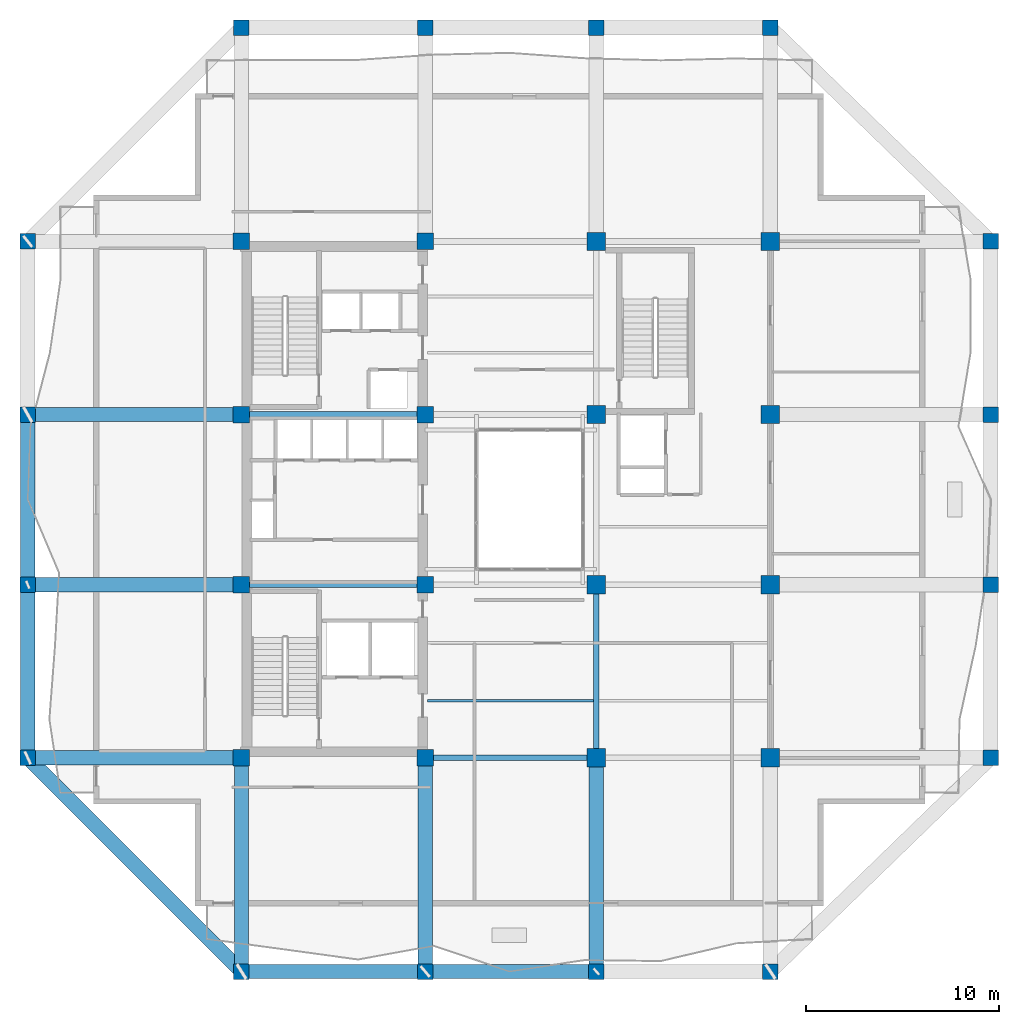
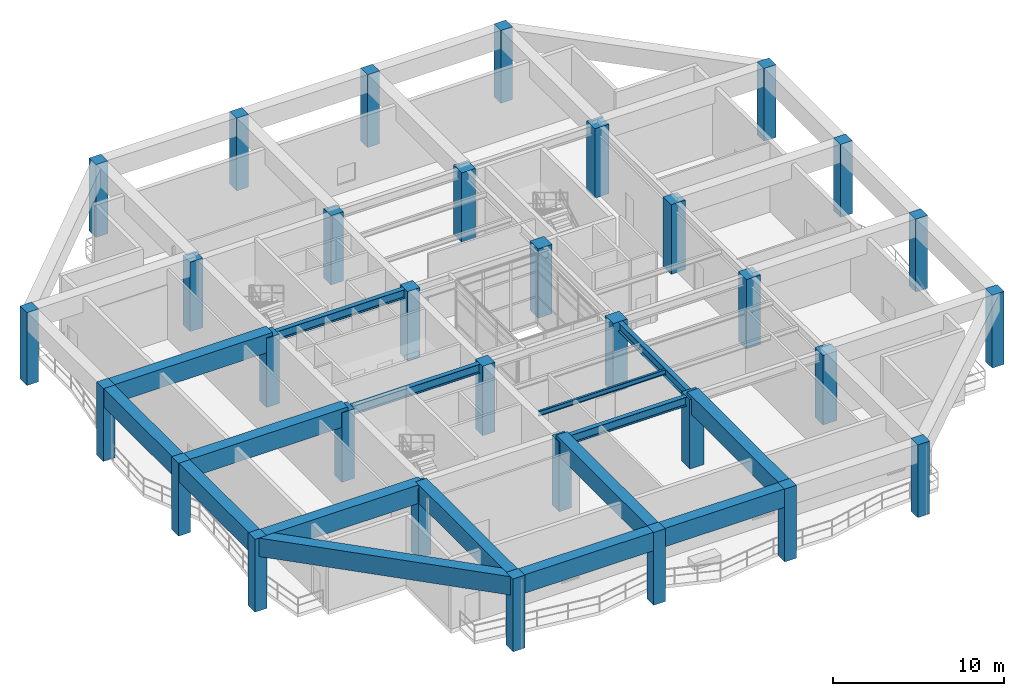
# One storey, part 1 of 13: 32 columns, 16 beams.
"""IFC4 building model written with IfcOpenShell, lengths in metres."""

from ifc_helpers import new_model, si_unit, direction, frame, origin, origin_2d, place, context, subcontext, project, spatial, rectangle, i_section, extrude, material, material_profile, profile_set, type_object, element, save


model = new_model("IFC4")

# Units and contexts
model_context = context("Model", 3, precision=1e-05, world=origin(), true_north=direction((0.0, 1.0)))
body_context = subcontext(model_context, "Body", "Model", "MODEL_VIEW")
ifc_project = project(units=[si_unit("LENGTHUNIT", "METRE"), si_unit("AREAUNIT", "SQUARE_METRE"), si_unit("VOLUMEUNIT", "CUBIC_METRE"), si_unit("PLANEANGLEUNIT", "RADIAN"), si_unit("MASSUNIT", "GRAM", prefix="KILO")], contexts=[model_context])

# Site, building, storey
site_placement = place(None, origin())
site = spatial("IfcSite", under=ifc_project, at=site_placement, CompositionType="ELEMENT")
building_placement = place(site_placement, origin())
building = spatial("IfcBuilding", under=site, at=building_placement, Name="Kundavana Baori Tower", CompositionType="ELEMENT")
storey_placement = place(building_placement, frame((0.0, 0.0, 208.89990234375)))
storey = spatial("IfcBuildingStorey", under=building, at=storey_placement, Name="L51", CompositionType="ELEMENT", Elevation=208.89990234375)

# Columns
ifc_material_1 = material(Name="Concrete C50/60", Category="concrete")
ifc_material_profile_1 = material_profile(ifc_material_1, rectangle(XDim=0.800048828125, YDim=0.800048828125, at=origin_2d()), Name="RC PF 800x800")
ifc_profile_set_1 = profile_set([ifc_material_profile_1], Name="Concrete C50/60")
column_type_1 = type_object("IfcColumnType", Name="COL-PF-800", PredefinedType="COLUMN", material=ifc_profile_set_1)
for number, where, z_axis, x_axis, name in (
    (1, (15.449951171875, 4.199951171875, 0.0), (0.0, 0.0, 1.0), (1.0, 0.0, 0.0), "L51 Stone-Clad Perimeter Frame Column PF-S1"),
    (2, (15.449951171875, 53.0, 0.0), (0.0, 0.0, 1.0), (1.0, 0.0, 0.0), "L51 Stone-Clad Perimeter Frame Column PF-N1"),
    (3, (24.949951171875, 4.199951171875, 0.0), (0.0, 0.0, 1.0), (1.0, 0.0, 0.0), "L51 Stone-Clad Perimeter Frame Column PF-S2"),
    (4, (24.949951171875, 53.0, 0.0), (0.0, 0.0, 1.0), (1.0, 0.0, 0.0), "L51 Stone-Clad Perimeter Frame Column PF-N2"),
    (5, (33.800048828125, 4.199951171875, 0.0), (0.0, 0.0, 1.0), (1.0, 0.0, 0.0), "L51 Stone-Clad Perimeter Frame Column PF-S3"),
    (6, (33.800048828125, 53.0, 0.0), (0.0, 0.0, 1.0), (1.0, 0.0, 0.0), "L51 Stone-Clad Perimeter Frame Column PF-N3"),
    (7, (42.800048828125, 4.199951171875, 0.0), (0.0, 0.0, 1.0), (1.0, 0.0, 0.0), "L51 Stone-Clad Perimeter Frame Column PF-S4"),
    (8, (42.800048828125, 53.0, 0.0), (0.0, 0.0, 1.0), (1.0, 0.0, 0.0), "L51 Stone-Clad Perimeter Frame Column PF-N4"),
    (9, (4.39990234375, 15.25, 0.0), (0.0, 0.0, 1.0), (1.0, 0.0, 0.0), "L51 Stone-Clad Perimeter Frame Column PF-W1"),
    (10, (54.199951171875, 15.25, 0.0), (0.0, 0.0, 1.0), (1.0, 0.0, 0.0), "L51 Stone-Clad Perimeter Frame Column PF-E1"),
    (11, (4.39990234375, 24.199951171875, 0.0), (0.0, 0.0, 1.0), (1.0, 0.0, 0.0), "L51 Stone-Clad Perimeter Frame Column PF-W2"),
    (12, (54.199951171875, 24.199951171875, 0.0), (0.0, 0.0, 1.0), (1.0, 0.0, 0.0), "L51 Stone-Clad Perimeter Frame Column PF-E2"),
    (13, (4.39990234375, 33.0, 0.0), (0.0, 0.0, 1.0), (1.0, 0.0, 0.0), "L51 Stone-Clad Perimeter Frame Column PF-W3"),
    (14, (54.199951171875, 33.0, 0.0), (0.0, 0.0, 1.0), (1.0, 0.0, 0.0), "L51 Stone-Clad Perimeter Frame Column PF-E3"),
    (15, (4.39990234375, 41.949951171875, 0.0), (0.0, 0.0, 1.0), (1.0, 0.0, 0.0), "L51 Stone-Clad Perimeter Frame Column PF-W4"),
    (16, (54.199951171875, 41.949951171875, 0.0), (0.0, 0.0, 1.0), (1.0, 0.0, 0.0), "L51 Stone-Clad Perimeter Frame Column PF-E4"),
):
    element("IfcColumn", number, at=place(storey_placement, frame(where, z_axis=z_axis, x_axis=x_axis)), inside=storey, type_object=column_type_1, Name=name, PredefinedType="COLUMN", context=body_context, shape_type="SweptSolid", body=[
        extrude(rectangle(XDim=0.800048828125, YDim=0.800048828125, at=origin_2d()), origin(), (0.0, 0.0, 1.0), 5.2001953125),
    ])
ifc_material_2 = material(Name="Concrete C50/60", Category="concrete")
ifc_material_profile_2 = material_profile(ifc_material_2, rectangle(XDim=0.85009765625, YDim=0.85009765625, at=origin_2d()), Name="RC 850x850")
ifc_profile_set_2 = profile_set([ifc_material_profile_2], Name="Concrete C50/60")
column_type_2 = type_object("IfcColumnType", Name="COL-RC-850", PredefinedType="COLUMN", material=ifc_profile_set_2)
for number, where, z_axis, x_axis, name in (
    (17, (15.449951171875, 15.25, 0.0), (0.0, 0.0, 1.0), (1.0, 0.0, 0.0), "L51 Interior Column IC-3C"),
    (18, (15.449951171875, 24.199951171875, 0.0), (0.0, 0.0, 1.0), (1.0, 0.0, 0.0), "L51 Interior Column IC-3D"),
    (19, (15.449951171875, 33.0, 0.0), (0.0, 0.0, 1.0), (1.0, 0.0, 0.0), "L51 Interior Column IC-3E"),
    (20, (15.449951171875, 41.949951171875, 0.0), (0.0, 0.0, 1.0), (1.0, 0.0, 0.0), "L51 Interior Column IC-3F"),
    (21, (24.949951171875, 15.25, 0.0), (0.0, 0.0, 1.0), (1.0, 0.0, 0.0), "L51 Interior Column IC-4C"),
    (22, (24.949951171875, 24.199951171875, 0.0), (0.0, 0.0, 1.0), (1.0, 0.0, 0.0), "L51 Interior Column IC-4D"),
    (23, (24.949951171875, 33.0, 0.0), (0.0, 0.0, 1.0), (1.0, 0.0, 0.0), "L51 Interior Column IC-4E"),
    (24, (24.949951171875, 41.949951171875, 0.0), (0.0, 0.0, 1.0), (1.0, 0.0, 0.0), "L51 Interior Column IC-4F"),
):
    element("IfcColumn", number, at=place(storey_placement, frame(where, z_axis=z_axis, x_axis=x_axis)), inside=storey, type_object=column_type_2, Name=name, PredefinedType="COLUMN", context=body_context, shape_type="SweptSolid", body=[
        extrude(rectangle(XDim=0.85009765625, YDim=0.85009765625, at=origin_2d()), origin(), (0.0, 0.0, 1.0), 4.960205078125),
    ])
ifc_material_3 = material(Name="Concrete C50/60", Category="concrete")
ifc_material_profile_3 = material_profile(ifc_material_3, rectangle(XDim=0.949951171875, YDim=0.949951171875, at=origin_2d()), Name="RC 950x950")
ifc_profile_set_3 = profile_set([ifc_material_profile_3], Name="Concrete C50/60")
column_type_3 = type_object("IfcColumnType", Name="COL-RC-950", PredefinedType="COLUMN", material=ifc_profile_set_3)
for number, where, z_axis, x_axis, name in (
    (25, (33.800048828125, 15.25, 0.0), (0.0, 0.0, 1.0), (1.0, 0.0, 0.0), "L51 Interior Column IC-5C"),
    (26, (33.800048828125, 24.199951171875, 0.0), (0.0, 0.0, 1.0), (1.0, 0.0, 0.0), "L51 Interior Column IC-5D"),
    (27, (33.800048828125, 33.0, 0.0), (0.0, 0.0, 1.0), (1.0, 0.0, 0.0), "L51 Interior Column IC-5E"),
    (28, (33.800048828125, 41.949951171875, 0.0), (0.0, 0.0, 1.0), (1.0, 0.0, 0.0), "L51 Interior Column IC-5F"),
    (29, (42.800048828125, 15.25, 0.0), (0.0, 0.0, 1.0), (1.0, 0.0, 0.0), "L51 Interior Column IC-6C"),
    (30, (42.800048828125, 24.199951171875, 0.0), (0.0, 0.0, 1.0), (1.0, 0.0, 0.0), "L51 Interior Column IC-6D"),
    (31, (42.800048828125, 33.0, 0.0), (0.0, 0.0, 1.0), (1.0, 0.0, 0.0), "L51 Interior Column IC-6E"),
    (32, (42.800048828125, 41.949951171875, 0.0), (0.0, 0.0, 1.0), (1.0, 0.0, 0.0), "L51 Interior Column IC-6F"),
):
    element("IfcColumn", number, at=place(storey_placement, frame(where, z_axis=z_axis, x_axis=x_axis)), inside=storey, type_object=column_type_3, Name=name, PredefinedType="COLUMN", context=body_context, shape_type="SweptSolid", body=[
        extrude(rectangle(XDim=0.949951171875, YDim=0.949951171875, at=origin_2d()), origin(), (0.0, 0.0, 1.0), 4.960205078125),
    ])

# Beams
ifc_material_4 = material(Name="Structural Steel S355JR", Category="steel")
ifc_material_profile_4 = material_profile(ifc_material_4, i_section(OverallWidth=0.139892578125, OverallDepth=0.35009765625, WebThickness=0.008056640625, FlangeThickness=0.01416015625, FilletRadius=0.013916015625, at=origin_2d()), Name="ISMB 350")
ifc_profile_set_4 = profile_set([ifc_material_profile_4], Name="Structural Steel S355JR")
beam_type_1 = type_object("IfcBeamType", Name="BM-JST-350", PredefinedType="JOIST", material=ifc_profile_set_4)
beam_1_placement = place(storey_placement, frame((25.080078125, 18.199951171875, 4.78515625), z_axis=(1.0, 0.0, 0.0), x_axis=(0.0, 1.0, 0.0)))
element("IfcBeam", 33, at=beam_1_placement, inside=storey, type_object=beam_type_1, Name="L51 Central Bay Composite Floor Joist C1", PredefinedType="JOIST", context=body_context, shape_type="SweptSolid", body=[
    extrude(i_section(OverallWidth=0.139892578125, OverallDepth=0.35009765625, WebThickness=0.008056640625, FlangeThickness=0.01416015625, FilletRadius=0.013916015625, at=origin_2d()), origin(), (0.0, 0.0, 1.0), 8.56982421875),
])
ifc_material_5 = material(Name="Structural Steel S355JR", Category="steel")
ifc_material_profile_5 = material_profile(ifc_material_5, i_section(OverallWidth=0.300048828125, OverallDepth=0.64990234375, WebThickness=0.013427734375, FlangeThickness=0.02197265625, FilletRadius=0.02392578125, at=origin_2d()), Name="NPB 650x300x155")
ifc_profile_set_5 = profile_set([ifc_material_profile_5], Name="Structural Steel S355JR")
beam_type_2 = type_object("IfcBeamType", Name="BM-ST-650", PredefinedType="BEAM", material=ifc_profile_set_5)
beam_2_placement = place(storey_placement, frame((24.949951171875, 15.25, 4.635009765625), z_axis=(1.0, 0.0, 0.0), x_axis=(0.0, 1.0, 0.0)))
element("IfcBeam", 34, at=beam_2_placement, inside=storey, type_object=beam_type_2, Name="L51 Primary Grid Girder GX-1-2", PredefinedType="BEAM", context=body_context, shape_type="SweptSolid", body=[
    extrude(i_section(OverallWidth=0.300048828125, OverallDepth=0.64990234375, WebThickness=0.013427734375, FlangeThickness=0.02197265625, FilletRadius=0.02392578125, at=origin_2d()), origin(), (0.0, 0.0, 1.0), 8.85009765625),
])
for number, where, z_axis, x_axis, name in (
    (35, (15.449951171875, 24.199951171875, 4.635009765625), (1.0, 0.0, 0.0), (0.0, 1.0, 0.0), "L51 Primary Grid Girder GX-2-1"),
    (36, (15.449951171875, 33.0, 4.635009765625), (1.0, 0.0, 0.0), (0.0, 1.0, 0.0), "L51 Primary Grid Girder GX-3-1"),
):
    element("IfcBeam", number, at=place(storey_placement, frame(where, z_axis=z_axis, x_axis=x_axis)), inside=storey, type_object=beam_type_2, Name=name, PredefinedType="BEAM", context=body_context, shape_type="SweptSolid", body=[
        extrude(i_section(OverallWidth=0.300048828125, OverallDepth=0.64990234375, WebThickness=0.013427734375, FlangeThickness=0.02197265625, FilletRadius=0.02392578125, at=origin_2d()), origin(), (0.0, 0.0, 1.0), 9.5),
    ])
beam_3_placement = place(storey_placement, frame((33.800048828125, 15.25, 4.635009765625), z_axis=(0.0, 1.0, 0.0), x_axis=(-1.0, 0.0, 0.0)))
element("IfcBeam", 37, at=beam_3_placement, inside=storey, type_object=beam_type_2, Name="L51 Primary Grid Girder GY-3-1", PredefinedType="BEAM", context=body_context, shape_type="SweptSolid", body=[
    extrude(i_section(OverallWidth=0.300048828125, OverallDepth=0.64990234375, WebThickness=0.013427734375, FlangeThickness=0.02197265625, FilletRadius=0.02392578125, at=origin_2d()), origin(), (0.0, 0.0, 1.0), 8.949951171875),
])
ifc_material_6 = material(Name="Concrete C50/60", Category="concrete")
ifc_material_profile_6 = material_profile(ifc_material_6, rectangle(XDim=0.739990234375, YDim=1.320068359375, at=origin_2d()), Name="BM-TG-5")
ifc_profile_set_6 = profile_set([ifc_material_profile_6], Name="Concrete C50/60")
beam_type_3 = type_object("IfcBeamType", Name="BM-TG-5", PredefinedType="USERDEFINED", material=ifc_profile_set_6)
beam_4_placement = place(storey_placement, frame((15.449951171875, 4.199951171875, 4.5400390625), z_axis=(1.0, 0.0, 0.0), x_axis=(0.0, 1.0, 0.0)))
element("IfcBeam", 38, at=beam_4_placement, inside=storey, type_object=beam_type_3, Name="L51 Perimeter Frame Ring Beam S1", ObjectType="TRANSFER GIRDER", PredefinedType="USERDEFINED", context=body_context, shape_type="SweptSolid", body=[
    extrude(rectangle(XDim=0.739990234375, YDim=1.320068359375, at=origin_2d()), origin(), (0.0, 0.0, 1.0), 9.5),
])
beam_5_placement = place(storey_placement, frame((24.949951171875, 4.199951171875, 4.5400390625), z_axis=(1.0, 0.0, 0.0), x_axis=(0.0, 1.0, 0.0)))
element("IfcBeam", 39, at=beam_5_placement, inside=storey, type_object=beam_type_3, Name="L51 Perimeter Frame Ring Beam S2", ObjectType="TRANSFER GIRDER", PredefinedType="USERDEFINED", context=body_context, shape_type="SweptSolid", body=[
    extrude(rectangle(XDim=0.739990234375, YDim=1.320068359375, at=origin_2d()), origin(), (0.0, 0.0, 1.0), 8.85009765625),
])
beam_6_placement = place(storey_placement, frame((4.39990234375, 15.25, 4.5400390625), z_axis=(0.0, 1.0, 0.0), x_axis=(-1.0, 0.0, 0.0)))
element("IfcBeam", 40, at=beam_6_placement, inside=storey, type_object=beam_type_3, Name="L51 Perimeter Frame Ring Beam W1", ObjectType="TRANSFER GIRDER", PredefinedType="USERDEFINED", context=body_context, shape_type="SweptSolid", body=[
    extrude(rectangle(XDim=0.739990234375, YDim=1.320068359375, at=origin_2d()), origin(), (0.0, 0.0, 1.0), 8.949951171875),
])
beam_7_placement = place(storey_placement, frame((4.39990234375, 24.199951171875, 4.5400390625), z_axis=(0.0, 1.0, 0.0), x_axis=(-1.0, 0.0, 0.0)))
element("IfcBeam", 41, at=beam_7_placement, inside=storey, type_object=beam_type_3, Name="L51 Perimeter Frame Ring Beam W2", ObjectType="TRANSFER GIRDER", PredefinedType="USERDEFINED", context=body_context, shape_type="SweptSolid", body=[
    extrude(rectangle(XDim=0.739990234375, YDim=1.320068359375, at=origin_2d()), origin(), (0.0, 0.0, 1.0), 8.800048828125),
])
beam_8_placement = place(storey_placement, frame((15.449951171875, 4.199951171875, 4.5400390625), z_axis=(-0.707106781187, 0.707106781187, 0.0), x_axis=(-0.707106781187, -0.707106781187, 0.0)))
element("IfcBeam", 42, at=beam_8_placement, inside=storey, type_object=beam_type_3, Name="L51 Notched Corner Perimeter Beam SW", ObjectType="TRANSFER GIRDER", PredefinedType="USERDEFINED", context=body_context, shape_type="SweptSolid", body=[
    extrude(rectangle(XDim=0.739990234375, YDim=1.320068359375, at=origin_2d()), origin(), (0.0, 0.0, 1.0), 15.627197265625),
])
for number, where, z_axis, x_axis, name in (
    (43, (15.449951171875, 15.25, 4.5400390625), (0.0, -1.0, 0.0), (1.0, 0.0, 0.0), "L51 South Radial Transfer Girder S1"),
    (44, (24.949951171875, 15.25, 4.5400390625), (0.0, -1.0, 0.0), (1.0, 0.0, 0.0), "L51 South Radial Transfer Girder S2"),
    (45, (33.800048828125, 15.25, 4.5400390625), (0.0, -1.0, 0.0), (1.0, 0.0, 0.0), "L51 South Radial Transfer Girder S3"),
    (46, (15.449951171875, 15.25, 4.5400390625), (-1.0, 0.0, 0.0), (0.0, -1.0, 0.0), "L51 West Radial Transfer Girder W1"),
    (47, (15.449951171875, 24.199951171875, 4.5400390625), (-1.0, 0.0, 0.0), (0.0, -1.0, 0.0), "L51 West Radial Transfer Girder W2"),
    (48, (15.449951171875, 33.0, 4.5400390625), (-1.0, 0.0, 0.0), (0.0, -1.0, 0.0), "L51 West Radial Transfer Girder W3"),
):
    element("IfcBeam", number, at=place(storey_placement, frame(where, z_axis=z_axis, x_axis=x_axis)), inside=storey, type_object=beam_type_3, Name=name, ObjectType="TRANSFER GIRDER", PredefinedType="USERDEFINED", context=body_context, shape_type="SweptSolid", body=[
        extrude(rectangle(XDim=0.739990234375, YDim=1.320068359375, at=origin_2d()), origin(), (0.0, 0.0, 1.0), 11.050048828125),
    ])

save(model, "model.ifc")
